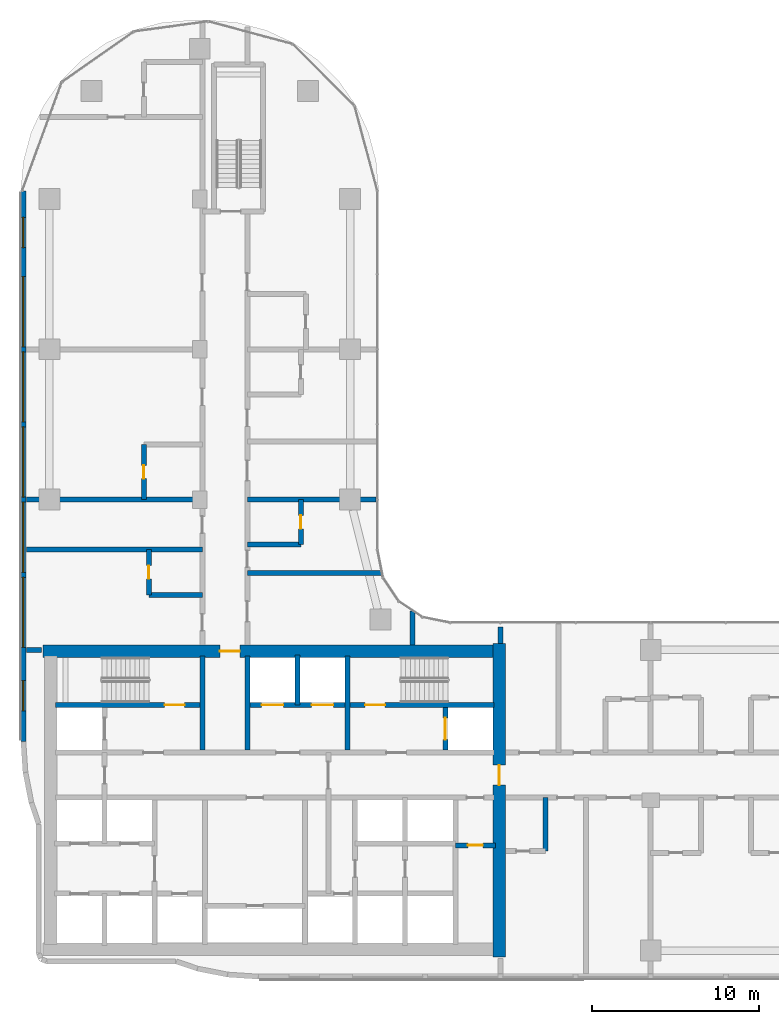
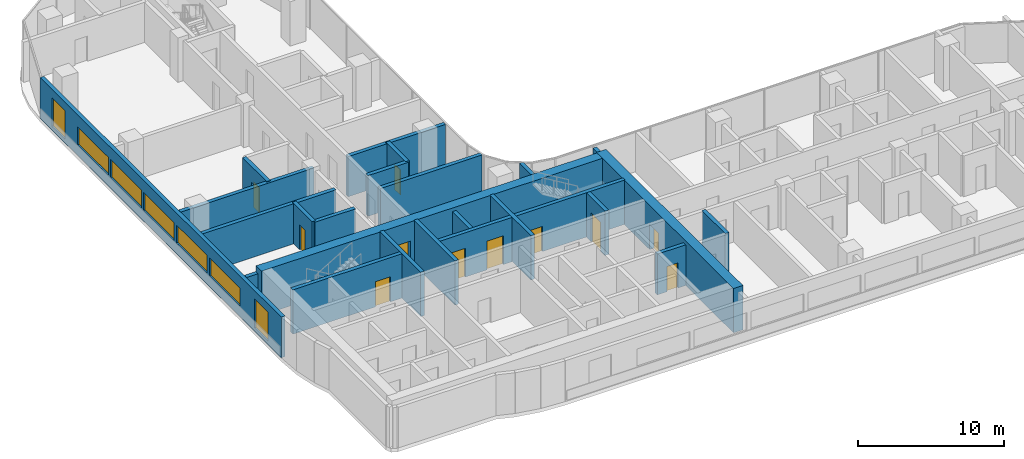
# One storey, part 10 of 22: 24 walls, 11 doors, 7 windows, 18 openings.
"""IFC4 building model written with IfcOpenShell, lengths in metres."""

from ifc_helpers import new_model, si_unit, direction, frame, frame_2d, origin, place, context, subcontext, project, spatial, rectangle, extrude, material, layer, layer_set, type_object, element, fill, save


model = new_model("IFC4")

# Units and contexts
model_context = context("Model", 3, precision=1e-05, world=origin(), true_north=direction((0.0, 1.0)))
body_context = subcontext(model_context, "Body", "Model", "MODEL_VIEW")
ifc_project = project(units=[si_unit("LENGTHUNIT", "METRE"), si_unit("AREAUNIT", "SQUARE_METRE"), si_unit("VOLUMEUNIT", "CUBIC_METRE"), si_unit("PLANEANGLEUNIT", "RADIAN"), si_unit("MASSUNIT", "GRAM", prefix="KILO")], contexts=[model_context])

# Site, building, storey
site_placement = place(None, origin())
site = spatial("IfcSite", under=ifc_project, at=site_placement, CompositionType="ELEMENT")
building_placement = place(site_placement, origin())
building = spatial("IfcBuilding", under=site, at=building_placement, Name="Ogive Portal Towers", CompositionType="ELEMENT")
storey_placement = place(building_placement, frame((0.0, 0.0, 131.5)))
storey = spatial("IfcBuildingStorey", under=building, at=storey_placement, Name="L32", CompositionType="ELEMENT", Elevation=131.5)

# Wall, opening, door
ifc_material_1 = material(Name="Concrete C60/75", Category="concrete")
ifc_layer_1 = layer(ifc_material_1, 0.300048828125)
ifc_layer_set_1 = layer_set([ifc_layer_1], Name="CORE WALL 300 C60")
wall_type_1 = type_object("IfcWallType", Name="CORE WALL 300 C60", PredefinedType="SHEAR", material=ifc_layer_set_1)
wall_1_placement = place(storey_placement, frame((31.875, 36.199951171875, 0.0), z_axis=(0.0, 0.0, 1.0), x_axis=(1.0, 0.0, 0.0)))
wall_1 = element("IfcWall", 1, at=wall_1_placement, inside=storey, type_object=wall_type_1, Name="Core wall Y3a L32", PredefinedType="SHEAR", context=body_context, shape_type="SweptSolid", body=[
    extrude(rectangle(XDim=8.625, YDim=0.300048828125, at=frame_2d((4.3125, 0.0))), origin(), (0.0, 0.0, 1.0), 3.699951171875),
])
opening_1_placement = place(wall_1_placement, frame((6.52490234375, 0.0, 0.0)))
opening_1 = element("IfcOpeningElement", 2, at=opening_1_placement, cuts=wall_1, Name="Opening D11-006", PredefinedType="OPENING", context=body_context, shape_type="SweptSolid", body=[
    extrude(rectangle(XDim=1.199951171875, YDim=2.10009765625, at=frame_2d((0.60009765625, 1.050048828125))), frame((0.0, 0.16015625, 0.0), z_axis=(0.0, -1.0, 0.0), x_axis=(1.0, 0.0, 0.0)), (0.0, 0.0, 1.0), 0.320068359375),
])
ifc_material_2 = material(Name="Steel fire door", Category="steel")
door_type_1 = type_object("IfcDoorType", Name="DT-SWING-1200x2100-FD90S", OperationType="SINGLE_SWING_LEFT", PredefinedType="DOOR", material=ifc_material_2)
door_1_placement = place(opening_1_placement, origin())
door_1 = element("IfcDoor", 3, at=door_1_placement, inside=storey, type_object=door_type_1, Name="Door D11-006", OperationType="SINGLE_SWING_RIGHT", OverallHeight=2.10009765625, OverallWidth=1.199951171875, PredefinedType="DOOR", context=body_context, shape_type="SweptSolid", body=[
    extrude(rectangle(XDim=1.199951171875, YDim=2.10009765625, at=frame_2d((0.60009765625, 1.050048828125))), frame((0.0, 0.02490234375, 0.0), z_axis=(0.0, -1.0, 0.0), x_axis=(1.0, 0.0, 0.0)), (0.0, 0.0, 1.0), 0.050048828125),
])
fill(opening_1, door_1)

# Wall, openings, doors
wall_2_placement = place(storey_placement, frame((43.5, 36.199951171875, 0.0), z_axis=(0.0, 0.0, 1.0), x_axis=(1.0, 0.0, 0.0)))
wall_2 = element("IfcWall", 4, at=wall_2_placement, inside=storey, type_object=wall_type_1, Name="Core wall Y3b L32", PredefinedType="SHEAR", context=body_context, shape_type="SweptSolid", body=[
    extrude(rectangle(XDim=14.625, YDim=0.300048828125, at=frame_2d((7.3125, 0.0))), origin(), (0.0, 0.0, 1.0), 3.699951171875),
])
opening_2_placement = place(wall_2_placement, frame((6.89990234375, 0.0, 0.0)))
opening_2 = element("IfcOpeningElement", 5, at=opening_2_placement, cuts=wall_2, Name="Opening D11-007", PredefinedType="OPENING", context=body_context, shape_type="SweptSolid", body=[
    extrude(rectangle(XDim=1.199951171875, YDim=2.10009765625, at=frame_2d((0.60009765625, 1.050048828125))), frame((0.0, 0.16015625, 0.0), z_axis=(0.0, -1.0, 0.0), x_axis=(1.0, 0.0, 0.0)), (0.0, 0.0, 1.0), 0.320068359375),
])
opening_3_placement = place(wall_2_placement, frame((0.699951171875, 0.0, 0.0)))
opening_3 = element("IfcOpeningElement", 6, at=opening_3_placement, cuts=wall_2, Name="Opening D11-018", PredefinedType="OPENING", context=body_context, shape_type="SweptSolid", body=[
    extrude(rectangle(XDim=1.300048828125, YDim=2.39990234375, at=frame_2d((0.64990234375, 1.199951171875))), frame((0.0, 0.16015625, 0.0), z_axis=(0.0, -1.0, 0.0), x_axis=(1.0, 0.0, 0.0)), (0.0, 0.0, 1.0), 0.320068359375),
])
opening_4_placement = place(wall_2_placement, frame((3.699951171875, 0.0, 0.0)))
opening_4 = element("IfcOpeningElement", 7, at=opening_4_placement, cuts=wall_2, Name="Opening D11-019", PredefinedType="OPENING", context=body_context, shape_type="SweptSolid", body=[
    extrude(rectangle(XDim=1.300048828125, YDim=2.39990234375, at=frame_2d((0.64990234375, 1.199951171875))), frame((0.0, 0.16015625, 0.0), z_axis=(0.0, -1.0, 0.0), x_axis=(1.0, 0.0, 0.0)), (0.0, 0.0, 1.0), 0.320068359375),
])
ifc_material_3 = material(Name="Stainless steel", Category="steel")
door_type_2 = type_object("IfcDoorType", Name="DT-LD-1300x2400", OperationType="SLIDING_TO_LEFT", PredefinedType="DOOR", material=ifc_material_3)
door_2_placement = place(opening_3_placement, origin())
door_2 = element("IfcDoor", 8, at=door_2_placement, inside=storey, type_object=door_type_2, Name="Door D11-018", OperationType="SLIDING_TO_LEFT", OverallHeight=2.39990234375, OverallWidth=1.300048828125, PredefinedType="DOOR", context=body_context, shape_type="SweptSolid", body=[
    extrude(rectangle(XDim=1.300048828125, YDim=2.39990234375, at=frame_2d((0.64990234375, 1.199951171875))), frame((0.0, 0.02490234375, 0.0), z_axis=(0.0, -1.0, 0.0), x_axis=(1.0, 0.0, 0.0)), (0.0, 0.0, 1.0), 0.050048828125),
])
fill(opening_3, door_2)
door_3_placement = place(opening_4_placement, origin())
door_3 = element("IfcDoor", 9, at=door_3_placement, inside=storey, type_object=door_type_2, Name="Door D11-019", OperationType="SLIDING_TO_LEFT", OverallHeight=2.39990234375, OverallWidth=1.300048828125, PredefinedType="DOOR", context=body_context, shape_type="SweptSolid", body=[
    extrude(rectangle(XDim=1.300048828125, YDim=2.39990234375, at=frame_2d((0.64990234375, 1.199951171875))), frame((0.0, 0.02490234375, 0.0), z_axis=(0.0, -1.0, 0.0), x_axis=(1.0, 0.0, 0.0)), (0.0, 0.0, 1.0), 0.050048828125),
])
fill(opening_4, door_3)
door_4_placement = place(opening_2_placement, origin())
door_4 = element("IfcDoor", 10, at=door_4_placement, inside=storey, type_object=door_type_1, Name="Door D11-007", OperationType="SINGLE_SWING_LEFT", OverallHeight=2.10009765625, OverallWidth=1.199951171875, PredefinedType="DOOR", context=body_context, shape_type="SweptSolid", body=[
    extrude(rectangle(XDim=1.199951171875, YDim=2.10009765625, at=frame_2d((0.60009765625, 1.050048828125))), frame((0.0, 0.02490234375, 0.0), z_axis=(0.0, -1.0, 0.0), x_axis=(1.0, 0.0, 0.0)), (0.0, 0.0, 1.0), 0.050048828125),
])
fill(opening_2, door_4)

# Walls
for number, where, z_axis, x_axis, name in (
    (11, (40.64990234375, 33.5, 0.0), (0.0, 0.0, 1.0), (0.0, 1.0, 0.0), "Core wall X6 L32"),
    (12, (43.35009765625, 33.5, 0.0), (0.0, 0.0, 1.0), (0.0, 1.0, 0.0), "Core wall X7 L32"),
    (13, (49.35009765625, 33.5, 0.0), (0.0, 0.0, 1.0), (0.0, 1.0, 0.0), "Core wall X9 L32"),
):
    element("IfcWall", number, at=place(storey_placement, frame(where, z_axis=z_axis, x_axis=x_axis)), inside=storey, type_object=wall_type_1, Name=name, PredefinedType="SHEAR", context=body_context, shape_type="SweptSolid", body=[
        extrude(rectangle(XDim=5.625, YDim=0.300048828125, at=frame_2d((2.8125, 0.0))), origin(), (0.0, 0.0, 1.0), 3.699951171875),
    ])

# Wall, opening, door
wall_3_placement = place(storey_placement, frame((55.199951171875, 33.5, 0.0), z_axis=(0.0, 0.0, 1.0), x_axis=(0.0, 1.0, 0.0)))
wall_3 = element("IfcWall", 14, at=wall_3_placement, inside=storey, type_object=wall_type_1, Name="Core wall X10 L32", PredefinedType="SHEAR", context=body_context, shape_type="SweptSolid", body=[
    extrude(rectangle(XDim=2.550048828125, YDim=0.300048828125, at=frame_2d((1.27490234375, 0.0))), origin(), (0.0, 0.0, 1.0), 3.699951171875),
])
opening_5_placement = place(wall_3_placement, frame((0.625, 0.0, 0.0)))
opening_5 = element("IfcOpeningElement", 15, at=opening_5_placement, cuts=wall_3, Name="Opening D11-021", PredefinedType="OPENING", context=body_context, shape_type="SweptSolid", body=[
    extrude(rectangle(XDim=1.300048828125, YDim=2.39990234375, at=frame_2d((0.64990234375, 1.199951171875))), frame((0.0, 0.16015625, 0.0), z_axis=(0.0, -1.0, 0.0), x_axis=(1.0, 0.0, 0.0)), (0.0, 0.0, 1.0), 0.320068359375),
])
door_5_placement = place(opening_5_placement, origin())
door_5 = element("IfcDoor", 16, at=door_5_placement, inside=storey, type_object=door_type_2, Name="Door D11-021", OperationType="SLIDING_TO_LEFT", OverallHeight=2.39990234375, OverallWidth=1.300048828125, PredefinedType="DOOR", context=body_context, shape_type="SweptSolid", body=[
    extrude(rectangle(XDim=1.300048828125, YDim=2.39990234375, at=frame_2d((0.64990234375, 1.199951171875))), frame((0.0, 0.02490234375, 0.0), z_axis=(0.0, -1.0, 0.0), x_axis=(1.0, 0.0, 0.0)), (0.0, 0.0, 1.0), 0.050048828125),
])
fill(opening_5, door_5)

ifc_layer_2 = layer(ifc_material_1, 0.75)
ifc_layer_set_2 = layer_set([ifc_layer_2], Name="CORE WALL 750 C60")
wall_type_2 = type_object("IfcWallType", Name="CORE WALL 750 C60", PredefinedType="SHEAR", material=ifc_layer_set_2)
wall_4_placement = place(storey_placement, frame((58.425048828125, 21.125, 0.0), z_axis=(0.0, 0.0, 1.0), x_axis=(0.0, 1.0, 0.0)))
wall_4 = element("IfcWall", 17, at=wall_4_placement, inside=storey, type_object=wall_type_2, Name="Core wall E L32", PredefinedType="SHEAR", context=body_context, shape_type="SweptSolid", body=[
    extrude(rectangle(XDim=18.75, YDim=0.75, at=frame_2d((9.375, 0.0))), origin(), (0.0, 0.0, 1.0), 3.699951171875),
])
opening_6_placement = place(wall_4_placement, frame((10.27490234375, 0.0, 0.0)))
opening_6 = element("IfcOpeningElement", 18, at=opening_6_placement, cuts=wall_4, Name="Opening D11-012", PredefinedType="OPENING", context=body_context, shape_type="SweptSolid", body=[
    extrude(rectangle(XDim=1.199951171875, YDim=2.10009765625, at=frame_2d((0.60009765625, 1.050048828125))), frame((0.0, 0.385009765625, 0.0), z_axis=(0.0, -1.0, 0.0), x_axis=(1.0, 0.0, 0.0)), (0.0, 0.0, 1.0), 0.77001953125),
])
door_6_placement = place(opening_6_placement, origin())
door_6 = element("IfcDoor", 19, at=door_6_placement, inside=storey, type_object=door_type_1, Name="Door D11-012", OperationType="SINGLE_SWING_LEFT", OverallHeight=2.10009765625, OverallWidth=1.199951171875, PredefinedType="DOOR", context=body_context, shape_type="SweptSolid", body=[
    extrude(rectangle(XDim=1.199951171875, YDim=2.10009765625, at=frame_2d((0.60009765625, 1.050048828125))), frame((0.0, 0.02490234375, 0.0), z_axis=(0.0, -1.0, 0.0), x_axis=(1.0, 0.0, 0.0)), (0.0, 0.0, 1.0), 0.050048828125),
])
fill(opening_6, door_6)

wall_5_placement = place(storey_placement, frame((31.125, 39.425048828125, 0.0), z_axis=(0.0, 0.0, 1.0), x_axis=(1.0, 0.0, 0.0)))
wall_5 = element("IfcWall", 20, at=wall_5_placement, inside=storey, type_object=wall_type_2, Name="Core wall N L32", PredefinedType="SHEAR", context=body_context, shape_type="SweptSolid", body=[
    extrude(rectangle(XDim=27.0, YDim=0.75, at=frame_2d((13.5, 0.0))), origin(), (0.0, 0.0, 1.0), 3.699951171875),
])
opening_7_placement = place(wall_5_placement, frame((10.574951171875, 0.0, 0.0)))
opening_7 = element("IfcOpeningElement", 21, at=opening_7_placement, cuts=wall_5, Name="Opening D11-013", PredefinedType="OPENING", context=body_context, shape_type="SweptSolid", body=[
    extrude(rectangle(XDim=1.199951171875, YDim=2.10009765625, at=frame_2d((0.60009765625, 1.050048828125))), frame((0.0, 0.385009765625, 0.0), z_axis=(0.0, -1.0, 0.0), x_axis=(1.0, 0.0, 0.0)), (0.0, 0.0, 1.0), 0.77001953125),
])
door_7_placement = place(opening_7_placement, origin())
door_7 = element("IfcDoor", 22, at=door_7_placement, inside=storey, type_object=door_type_1, Name="Door D11-013", OperationType="SINGLE_SWING_RIGHT", OverallHeight=2.10009765625, OverallWidth=1.199951171875, PredefinedType="DOOR", context=body_context, shape_type="SweptSolid", body=[
    extrude(rectangle(XDim=1.199951171875, YDim=2.10009765625, at=frame_2d((0.60009765625, 1.050048828125))), frame((0.0, 0.02490234375, 0.0), z_axis=(0.0, -1.0, 0.0), x_axis=(1.0, 0.0, 0.0)), (0.0, 0.0, 1.0), 0.050048828125),
])
fill(opening_7, door_7)

# Wall, openings, windows
ifc_material_4 = material(Name="Limestone cladding on lightweight block wall", Category="masonry")
ifc_layer_3 = layer(ifc_material_4, 0.300048828125)
ifc_layer_set_3 = layer_set([ifc_layer_3], Name="EXTERNAL WALL 300 STONE")
wall_type_3 = type_object("IfcWallType", Name="EXTERNAL WALL 300 STONE", PredefinedType="SOLIDWALL", material=ifc_layer_set_3)
wall_6_placement = place(storey_placement, frame((29.93505859375, 66.98583984375, 0.0), z_axis=(0.0, 0.0, 1.0), x_axis=(0.0, -1.0, 0.0)))
wall_6 = element("IfcWall", 23, at=wall_6_placement, inside=storey, type_object=wall_type_3, Name="A:L32:f25:r0:wall", PredefinedType="SOLIDWALL", context=body_context, shape_type="SweptSolid", body=[
    extrude(rectangle(XDim=32.97607421875, YDim=0.300048828125, at=frame_2d((16.488037109375, 0.0))), origin(), (0.0, 0.0, 1.0), 3.39990234375),
])
opening_8_placement = place(wall_6_placement, frame((1.593017578125, 0.0, 0.300048828125)))
opening_8 = element("IfcOpeningElement", 24, at=opening_8_placement, cuts=wall_6, Name="Opening WN10", PredefinedType="OPENING", context=body_context, shape_type="SweptSolid", body=[
    extrude(rectangle(XDim=1.800048828125, YDim=2.39990234375, at=frame_2d((0.89990234375, 1.199951171875))), frame((0.0, 0.16015625, 0.0), z_axis=(0.0, -1.0, 0.0), x_axis=(1.0, 0.0, 0.0)), (0.0, 0.0, 1.0), 0.320068359375),
])
opening_9_placement = place(wall_6_placement, frame((5.135986328125, 0.0, 0.89990234375)))
opening_9 = element("IfcOpeningElement", 25, at=opening_9_placement, cuts=wall_6, Name="Opening WN11", PredefinedType="OPENING", context=body_context, shape_type="SweptSolid", body=[
    extrude(rectangle(XDim=4.199951171875, YDim=1.5, at=frame_2d((2.10009765625, 0.75))), frame((0.0, 0.16015625, 0.0), z_axis=(0.0, -1.0, 0.0), x_axis=(1.0, 0.0, 0.0)), (0.0, 0.0, 1.0), 0.320068359375),
])
opening_10_placement = place(wall_6_placement, frame((9.635986328125, 0.0, 0.89990234375)))
opening_10 = element("IfcOpeningElement", 26, at=opening_10_placement, cuts=wall_6, Name="Opening WN11", PredefinedType="OPENING", context=body_context, shape_type="SweptSolid", body=[
    extrude(rectangle(XDim=4.199951171875, YDim=1.5, at=frame_2d((2.10009765625, 0.75))), frame((0.0, 0.16015625, 0.0), z_axis=(0.0, -1.0, 0.0), x_axis=(1.0, 0.0, 0.0)), (0.0, 0.0, 1.0), 0.320068359375),
])
opening_11_placement = place(wall_6_placement, frame((14.135986328125, 0.0, 0.89990234375)))
opening_11 = element("IfcOpeningElement", 27, at=opening_11_placement, cuts=wall_6, Name="Opening WN11", PredefinedType="OPENING", context=body_context, shape_type="SweptSolid", body=[
    extrude(rectangle(XDim=4.199951171875, YDim=1.5, at=frame_2d((2.10009765625, 0.75))), frame((0.0, 0.16015625, 0.0), z_axis=(0.0, -1.0, 0.0), x_axis=(1.0, 0.0, 0.0)), (0.0, 0.0, 1.0), 0.320068359375),
])
opening_12_placement = place(wall_6_placement, frame((18.635986328125, 0.0, 0.89990234375)))
opening_12 = element("IfcOpeningElement", 28, at=opening_12_placement, cuts=wall_6, Name="Opening WN11", PredefinedType="OPENING", context=body_context, shape_type="SweptSolid", body=[
    extrude(rectangle(XDim=4.199951171875, YDim=1.5, at=frame_2d((2.10009765625, 0.75))), frame((0.0, 0.16015625, 0.0), z_axis=(0.0, -1.0, 0.0), x_axis=(1.0, 0.0, 0.0)), (0.0, 0.0, 1.0), 0.320068359375),
])
opening_13_placement = place(wall_6_placement, frame((23.135986328125, 0.0, 0.89990234375)))
opening_13 = element("IfcOpeningElement", 29, at=opening_13_placement, cuts=wall_6, Name="Opening WN11", PredefinedType="OPENING", context=body_context, shape_type="SweptSolid", body=[
    extrude(rectangle(XDim=4.199951171875, YDim=1.5, at=frame_2d((2.10009765625, 0.75))), frame((0.0, 0.16015625, 0.0), z_axis=(0.0, -1.0, 0.0), x_axis=(1.0, 0.0, 0.0)), (0.0, 0.0, 1.0), 0.320068359375),
])
opening_14_placement = place(wall_6_placement, frame((29.3310546875, 0.0, 0.300048828125)))
opening_14 = element("IfcOpeningElement", 30, at=opening_14_placement, cuts=wall_6, Name="Opening WN10", PredefinedType="OPENING", context=body_context, shape_type="SweptSolid", body=[
    extrude(rectangle(XDim=1.800048828125, YDim=2.39990234375, at=frame_2d((0.89990234375, 1.199951171875))), frame((0.0, 0.16015625, 0.0), z_axis=(0.0, -1.0, 0.0), x_axis=(1.0, 0.0, 0.0)), (0.0, 0.0, 1.0), 0.320068359375),
])
ifc_material_5 = material(Name="Glass, clear low-iron insulated glazing", Category="glass")
window_type_1 = type_object("IfcWindowType", Name="WINDOW RIBBON 4200x1500", PartitioningType="TRIPLE_PANEL_VERTICAL", PredefinedType="WINDOW", material=ifc_material_5)
window_1_placement = place(opening_9_placement, origin())
window_1 = element("IfcWindow", 31, at=window_1_placement, inside=storey, type_object=window_type_1, Name="A:L32:f25:r0:w1", OverallHeight=1.5, OverallWidth=4.199951171875, PartitioningType="SINGLE_PANEL", PredefinedType="WINDOW", context=body_context, shape_type="SweptSolid", body=[
    extrude(rectangle(XDim=4.199951171875, YDim=1.5, at=frame_2d((2.10009765625, 0.75))), frame((0.0, 0.030029296875, 0.0), z_axis=(0.0, -1.0, 0.0), x_axis=(1.0, 0.0, 0.0)), (0.0, 0.0, 1.0), 0.06005859375),
])
fill(opening_9, window_1)
window_2_placement = place(opening_10_placement, origin())
window_2 = element("IfcWindow", 32, at=window_2_placement, inside=storey, type_object=window_type_1, Name="A:L32:f25:r0:w2", OverallHeight=1.5, OverallWidth=4.199951171875, PartitioningType="SINGLE_PANEL", PredefinedType="WINDOW", context=body_context, shape_type="SweptSolid", body=[
    extrude(rectangle(XDim=4.199951171875, YDim=1.5, at=frame_2d((2.10009765625, 0.75))), frame((0.0, 0.030029296875, 0.0), z_axis=(0.0, -1.0, 0.0), x_axis=(1.0, 0.0, 0.0)), (0.0, 0.0, 1.0), 0.06005859375),
])
fill(opening_10, window_2)
window_3_placement = place(opening_11_placement, origin())
window_3 = element("IfcWindow", 33, at=window_3_placement, inside=storey, type_object=window_type_1, Name="A:L32:f25:r0:w3", OverallHeight=1.5, OverallWidth=4.199951171875, PartitioningType="SINGLE_PANEL", PredefinedType="WINDOW", context=body_context, shape_type="SweptSolid", body=[
    extrude(rectangle(XDim=4.199951171875, YDim=1.5, at=frame_2d((2.10009765625, 0.75))), frame((0.0, 0.030029296875, 0.0), z_axis=(0.0, -1.0, 0.0), x_axis=(1.0, 0.0, 0.0)), (0.0, 0.0, 1.0), 0.06005859375),
])
fill(opening_11, window_3)
window_4_placement = place(opening_12_placement, origin())
window_4 = element("IfcWindow", 34, at=window_4_placement, inside=storey, type_object=window_type_1, Name="A:L32:f25:r0:w4", OverallHeight=1.5, OverallWidth=4.199951171875, PartitioningType="SINGLE_PANEL", PredefinedType="WINDOW", context=body_context, shape_type="SweptSolid", body=[
    extrude(rectangle(XDim=4.199951171875, YDim=1.5, at=frame_2d((2.10009765625, 0.75))), frame((0.0, 0.030029296875, 0.0), z_axis=(0.0, -1.0, 0.0), x_axis=(1.0, 0.0, 0.0)), (0.0, 0.0, 1.0), 0.06005859375),
])
fill(opening_12, window_4)
window_5_placement = place(opening_13_placement, origin())
window_5 = element("IfcWindow", 35, at=window_5_placement, inside=storey, type_object=window_type_1, Name="A:L32:f25:r0:w5", OverallHeight=1.5, OverallWidth=4.199951171875, PartitioningType="SINGLE_PANEL", PredefinedType="WINDOW", context=body_context, shape_type="SweptSolid", body=[
    extrude(rectangle(XDim=4.199951171875, YDim=1.5, at=frame_2d((2.10009765625, 0.75))), frame((0.0, 0.030029296875, 0.0), z_axis=(0.0, -1.0, 0.0), x_axis=(1.0, 0.0, 0.0)), (0.0, 0.0, 1.0), 0.06005859375),
])
fill(opening_13, window_5)
window_type_2 = type_object("IfcWindowType", Name="WINDOW SUITE CORNER 1800x2400", PartitioningType="DOUBLE_PANEL_VERTICAL", PredefinedType="WINDOW", material=ifc_material_5)
window_6_placement = place(opening_8_placement, origin())
window_6 = element("IfcWindow", 36, at=window_6_placement, inside=storey, type_object=window_type_2, Name="A:L32:f25:r0:w0", OverallHeight=2.39990234375, OverallWidth=1.800048828125, PartitioningType="SINGLE_PANEL", PredefinedType="WINDOW", context=body_context, shape_type="SweptSolid", body=[
    extrude(rectangle(XDim=1.800048828125, YDim=2.39990234375, at=frame_2d((0.89990234375, 1.199951171875))), frame((0.0, 0.030029296875, 0.0), z_axis=(0.0, -1.0, 0.0), x_axis=(1.0, 0.0, 0.0)), (0.0, 0.0, 1.0), 0.06005859375),
])
fill(opening_8, window_6)
window_7_placement = place(opening_14_placement, origin())
window_7 = element("IfcWindow", 37, at=window_7_placement, inside=storey, type_object=window_type_2, Name="A:L32:f25:r0:w6", OverallHeight=2.39990234375, OverallWidth=1.800048828125, PartitioningType="SINGLE_PANEL", PredefinedType="WINDOW", context=body_context, shape_type="SweptSolid", body=[
    extrude(rectangle(XDim=1.800048828125, YDim=2.39990234375, at=frame_2d((0.89990234375, 1.199951171875))), frame((0.0, 0.030029296875, 0.0), z_axis=(0.0, -1.0, 0.0), x_axis=(1.0, 0.0, 0.0)), (0.0, 0.0, 1.0), 0.06005859375),
])
fill(opening_14, window_7)

# Wall, opening, door
ifc_material_6 = material(Name="Gypsum board partition on steel studs", Category="steel")
ifc_layer_4 = layer(ifc_material_6, 0.300048828125)
ifc_layer_set_4 = layer_set([ifc_layer_4], Name="WT-PART-300")
wall_type_4 = type_object("IfcWallType", Name="WT-PART-300", PredefinedType="PARTITIONING", material=ifc_layer_set_4)
wall_7_placement = place(storey_placement, frame((55.800048828125, 27.800048828125, 0.0), z_axis=(0.0, 0.0, 1.0), x_axis=(1.0, 0.0, 0.0)))
wall_7 = element("IfcWall", 38, at=wall_7_placement, inside=storey, type_object=wall_type_4, Name="Wall pw:004:L32", PredefinedType="PARTITIONING", context=body_context, shape_type="SweptSolid", body=[
    extrude(rectangle(XDim=2.39990234375, YDim=0.300048828125, at=frame_2d((1.199951171875, 0.0))), origin(), (0.0, 0.0, 1.0), 3.39990234375),
])
opening_15_placement = place(wall_7_placement, frame((0.75, 0.0, 0.0)))
opening_15 = element("IfcOpeningElement", 39, at=opening_15_placement, cuts=wall_7, Name="Opening D11-011", PredefinedType="OPENING", context=body_context, shape_type="SweptSolid", body=[
    extrude(rectangle(XDim=0.89990234375, YDim=2.10009765625, at=frame_2d((0.449951171875, 1.050048828125))), frame((0.0, 0.16015625, 0.0), z_axis=(0.0, -1.0, 0.0), x_axis=(1.0, 0.0, 0.0)), (0.0, 0.0, 1.0), 0.320068359375),
])
door_type_3 = type_object("IfcDoorType", Name="DT-SWING-900x2100-FD60S", OperationType="SINGLE_SWING_LEFT", PredefinedType="DOOR", material=ifc_material_2)
door_8_placement = place(opening_15_placement, origin())
door_8 = element("IfcDoor", 40, at=door_8_placement, inside=storey, type_object=door_type_3, Name="Door D11-011", OperationType="SINGLE_SWING_RIGHT", OverallHeight=2.10009765625, OverallWidth=0.89990234375, PredefinedType="DOOR", context=body_context, shape_type="SweptSolid", body=[
    extrude(rectangle(XDim=0.89990234375, YDim=2.10009765625, at=frame_2d((0.449951171875, 1.050048828125))), frame((0.0, 0.02490234375, 0.0), z_axis=(0.0, -1.0, 0.0), x_axis=(1.0, 0.0, 0.0)), (0.0, 0.0, 1.0), 0.050048828125),
])
fill(opening_15, door_8)

# Walls
ifc_layer_5 = layer(ifc_material_6, 0.300048828125)
ifc_layer_set_5 = layer_set([ifc_layer_5], Name="WT-PART-300-EI 60")
wall_type_5 = type_object("IfcWallType", Name="WT-PART-300-EI 60", PredefinedType="PARTITIONING", material=ifc_layer_set_5)
wall_8_placement = place(storey_placement, frame((30.135009765625, 39.5, 0.0), z_axis=(0.0, 0.0, 1.0), x_axis=(1.0, 0.0, 0.0)))
element("IfcWall", 41, at=wall_8_placement, inside=storey, type_object=wall_type_5, Name="Wall L32:w014", PredefinedType="PARTITIONING", context=body_context, shape_type="SweptSolid", body=[
    extrude(rectangle(XDim=0.89501953125, YDim=0.300048828125, at=frame_2d((0.447509765625, 0.0))), origin(), (0.0, 0.0, 1.0), 3.35009765625),
])
wall_9_placement = place(storey_placement, frame((37.449951171875, 42.800048828125, 0.0), z_axis=(0.0, 0.0, 1.0), x_axis=(1.0, 0.0, 0.0)))
element("IfcWall", 42, at=wall_9_placement, inside=storey, type_object=wall_type_5, Name="Wall L32:w016", PredefinedType="PARTITIONING", context=body_context, shape_type="SweptSolid", body=[
    extrude(rectangle(XDim=3.199951171875, YDim=0.300048828125, at=frame_2d((1.60009765625, 0.0))), origin(), (0.0, 0.0, 1.0), 3.39990234375),
])
wall_10_placement = place(storey_placement, frame((43.35009765625, 44.10009765625, 0.0), z_axis=(0.0, 0.0, 1.0), x_axis=(1.0, 0.0, 0.0)))
element("IfcWall", 43, at=wall_10_placement, inside=storey, type_object=wall_type_5, Name="Wall L32:w017", PredefinedType="PARTITIONING", context=body_context, shape_type="SweptSolid", body=[
    extrude(rectangle(XDim=8.031982421875, YDim=0.300048828125, at=frame_2d((4.01611328125, 0.0))), origin(), (0.0, 0.0, 1.0), 3.35009765625),
])
wall_11_placement = place(storey_placement, frame((30.135009765625, 45.5, 0.0), z_axis=(0.0, 0.0, 1.0), x_axis=(1.0, 0.0, 0.0)))
element("IfcWall", 44, at=wall_11_placement, inside=storey, type_object=wall_type_5, Name="Wall L32:w018", PredefinedType="PARTITIONING", context=body_context, shape_type="SweptSolid", body=[
    extrude(rectangle(XDim=10.514892578125, YDim=0.300048828125, at=frame_2d((5.25732421875, 0.0))), origin(), (0.0, 0.0, 1.0), 3.35009765625),
])
wall_12_placement = place(storey_placement, frame((43.35009765625, 45.800048828125, 0.0), z_axis=(0.0, 0.0, 1.0), x_axis=(1.0, 0.0, 0.0)))
element("IfcWall", 45, at=wall_12_placement, inside=storey, type_object=wall_type_5, Name="Wall L32:w019", PredefinedType="PARTITIONING", context=body_context, shape_type="SweptSolid", body=[
    extrude(rectangle(XDim=3.199951171875, YDim=0.300048828125, at=frame_2d((1.60009765625, 0.0))), origin(), (0.0, 0.0, 1.0), 3.39990234375),
])
wall_13_placement = place(storey_placement, frame((30.135009765625, 48.5, 0.0), z_axis=(0.0, 0.0, 1.0), x_axis=(1.0, 0.0, 0.0)))
element("IfcWall", 46, at=wall_13_placement, inside=storey, type_object=wall_type_5, Name="Wall L32:w020", PredefinedType="PARTITIONING", context=body_context, shape_type="SweptSolid", body=[
    extrude(rectangle(XDim=10.514892578125, YDim=0.300048828125, at=frame_2d((5.25732421875, 0.0))), origin(), (0.0, 0.0, 1.0), 3.35009765625),
])
wall_14_placement = place(storey_placement, frame((43.35009765625, 48.5, 0.0), z_axis=(0.0, 0.0, 1.0), x_axis=(1.0, 0.0, 0.0)))
element("IfcWall", 47, at=wall_14_placement, inside=storey, type_object=wall_type_5, Name="Wall L32:w021", PredefinedType="PARTITIONING", context=body_context, shape_type="SweptSolid", body=[
    extrude(rectangle(XDim=7.69482421875, YDim=0.300048828125, at=frame_2d((3.847412109375, 0.0))), origin(), (0.0, 0.0, 1.0), 3.35009765625),
])

# Wall, opening, door
wall_15_placement = place(storey_placement, frame((37.14990234375, 48.5, 0.0), z_axis=(0.0, 0.0, 1.0), x_axis=(0.0, 1.0, 0.0)))
wall_15 = element("IfcWall", 48, at=wall_15_placement, inside=storey, type_object=wall_type_5, Name="Wall L32:w032", PredefinedType="PARTITIONING", context=body_context, shape_type="SweptSolid", body=[
    extrude(rectangle(XDim=3.300048828125, YDim=0.300048828125, at=frame_2d((1.64990234375, 0.0))), origin(), (0.0, 0.0, 1.0), 3.39990234375),
])
opening_16_placement = place(wall_15_placement, frame((1.25, 0.0, 0.0)))
opening_16 = element("IfcOpeningElement", 49, at=opening_16_placement, cuts=wall_15, Name="Opening D11-054", PredefinedType="OPENING", context=body_context, shape_type="SweptSolid", body=[
    extrude(rectangle(XDim=0.800048828125, YDim=2.10009765625, at=frame_2d((0.39990234375, 1.050048828125))), frame((0.0, 0.16015625, 0.0), z_axis=(0.0, -1.0, 0.0), x_axis=(1.0, 0.0, 0.0)), (0.0, 0.0, 1.0), 0.320068359375),
])
door_type_4 = type_object("IfcDoorType", Name="DT-BATH-800x2100-FD60S", OperationType="SINGLE_SWING_LEFT", PredefinedType="DOOR", material=ifc_material_2)
door_9_placement = place(opening_16_placement, origin())
door_9 = element("IfcDoor", 50, at=door_9_placement, inside=storey, type_object=door_type_4, Name="Door D11-054", OperationType="SINGLE_SWING_LEFT", OverallHeight=2.10009765625, OverallWidth=0.800048828125, PredefinedType="DOOR", context=body_context, shape_type="SweptSolid", body=[
    extrude(rectangle(XDim=0.800048828125, YDim=2.10009765625, at=frame_2d((0.39990234375, 1.050048828125))), frame((0.0, 0.02490234375, 0.0), z_axis=(0.0, -1.0, 0.0), x_axis=(1.0, 0.0, 0.0)), (0.0, 0.0, 1.0), 0.050048828125),
])
fill(opening_16, door_9)

wall_16_placement = place(storey_placement, frame((37.449951171875, 42.800048828125, 0.0), z_axis=(0.0, 0.0, 1.0), x_axis=(0.0, 1.0, 0.0)))
wall_16 = element("IfcWall", 51, at=wall_16_placement, inside=storey, type_object=wall_type_5, Name="Wall L32:w034", PredefinedType="PARTITIONING", context=body_context, shape_type="SweptSolid", body=[
    extrude(rectangle(XDim=2.699951171875, YDim=0.300048828125, at=frame_2d((1.35009765625, 0.0))), origin(), (0.0, 0.0, 1.0), 3.39990234375),
])
opening_17_placement = place(wall_16_placement, frame((0.949951171875, 0.0, 0.0)))
opening_17 = element("IfcOpeningElement", 52, at=opening_17_placement, cuts=wall_16, Name="Opening D11-048", PredefinedType="OPENING", context=body_context, shape_type="SweptSolid", body=[
    extrude(rectangle(XDim=0.800048828125, YDim=2.10009765625, at=frame_2d((0.39990234375, 1.050048828125))), frame((0.0, 0.16015625, 0.0), z_axis=(0.0, -1.0, 0.0), x_axis=(1.0, 0.0, 0.0)), (0.0, 0.0, 1.0), 0.320068359375),
])
door_10_placement = place(opening_17_placement, origin())
door_10 = element("IfcDoor", 53, at=door_10_placement, inside=storey, type_object=door_type_4, Name="Door D11-048", OperationType="SINGLE_SWING_LEFT", OverallHeight=2.10009765625, OverallWidth=0.800048828125, PredefinedType="DOOR", context=body_context, shape_type="SweptSolid", body=[
    extrude(rectangle(XDim=0.800048828125, YDim=2.10009765625, at=frame_2d((0.39990234375, 1.050048828125))), frame((0.0, 0.02490234375, 0.0), z_axis=(0.0, -1.0, 0.0), x_axis=(1.0, 0.0, 0.0)), (0.0, 0.0, 1.0), 0.050048828125),
])
fill(opening_17, door_10)

wall_17_placement = place(storey_placement, frame((46.550048828125, 45.800048828125, 0.0), z_axis=(0.0, 0.0, 1.0), x_axis=(0.0, 1.0, 0.0)))
wall_17 = element("IfcWall", 54, at=wall_17_placement, inside=storey, type_object=wall_type_5, Name="Wall L32:w040", PredefinedType="PARTITIONING", context=body_context, shape_type="SweptSolid", body=[
    extrude(rectangle(XDim=2.699951171875, YDim=0.300048828125, at=frame_2d((1.35009765625, 0.0))), origin(), (0.0, 0.0, 1.0), 3.39990234375),
])
opening_18_placement = place(wall_17_placement, frame((0.949951171875, 0.0, 0.0)))
opening_18 = element("IfcOpeningElement", 55, at=opening_18_placement, cuts=wall_17, Name="Opening D11-046", PredefinedType="OPENING", context=body_context, shape_type="SweptSolid", body=[
    extrude(rectangle(XDim=0.800048828125, YDim=2.10009765625, at=frame_2d((0.39990234375, 1.050048828125))), frame((0.0, 0.16015625, 0.0), z_axis=(0.0, -1.0, 0.0), x_axis=(1.0, 0.0, 0.0)), (0.0, 0.0, 1.0), 0.320068359375),
])
door_11_placement = place(opening_18_placement, origin())
door_11 = element("IfcDoor", 56, at=door_11_placement, inside=storey, type_object=door_type_4, Name="Door D11-046", OperationType="SINGLE_SWING_RIGHT", OverallHeight=2.10009765625, OverallWidth=0.800048828125, PredefinedType="DOOR", context=body_context, shape_type="SweptSolid", body=[
    extrude(rectangle(XDim=0.800048828125, YDim=2.10009765625, at=frame_2d((0.39990234375, 1.050048828125))), frame((0.0, 0.02490234375, 0.0), z_axis=(0.0, -1.0, 0.0), x_axis=(1.0, 0.0, 0.0)), (0.0, 0.0, 1.0), 0.050048828125),
])
fill(opening_18, door_11)

# Walls
wall_18_placement = place(storey_placement, frame((53.25, 39.800048828125, 0.0), z_axis=(0.0, 0.0, 1.0), x_axis=(0.0, 1.0, 0.0)))
element("IfcWall", 57, at=wall_18_placement, inside=storey, type_object=wall_type_5, Name="Wall L32:w043", PredefinedType="PARTITIONING", context=body_context, shape_type="SweptSolid", body=[
    extrude(rectangle(XDim=2.01904296875, YDim=0.300048828125, at=frame_2d((1.009521484375, 0.0))), origin(), (0.0, 0.0, 1.0), 3.35009765625),
])
wall_19_placement = place(storey_placement, frame((58.5, 39.8798828125, 0.0), z_axis=(0.0, 0.0, 1.0), x_axis=(0.0, 1.0, 0.0)))
element("IfcWall", 58, at=wall_19_placement, inside=storey, type_object=wall_type_5, Name="Wall L32:w045", PredefinedType="PARTITIONING", context=body_context, shape_type="SweptSolid", body=[
    extrude(rectangle(XDim=0.985107421875, YDim=0.300048828125, at=frame_2d((0.49267578125, 0.0))), origin(), (0.0, 0.0, 1.0), 3.35009765625),
])
wall_20_placement = place(storey_placement, frame((61.199951171875, 27.449951171875, 0.0), z_axis=(0.0, 0.0, 1.0), x_axis=(0.0, 1.0, 0.0)))
element("IfcWall", 59, at=wall_20_placement, inside=storey, type_object=wall_type_5, Name="Wall L32:w046", PredefinedType="PARTITIONING", context=body_context, shape_type="SweptSolid", body=[
    extrude(rectangle(XDim=3.199951171875, YDim=0.300048828125, at=frame_2d((1.60009765625, 0.0))), origin(), (0.0, 0.0, 1.0), 3.39990234375),
])
ifc_material_7 = material(Name="Concrete C40/50", Category="concrete")
ifc_layer_6 = layer(ifc_material_7, 0.300048828125)
ifc_layer_set_6 = layer_set([ifc_layer_6], Name="WT-SHAFT-300")
wall_type_6 = type_object("IfcWallType", Name="WT-SHAFT-300", PredefinedType="SOLIDWALL", material=ifc_layer_set_6)
wall_21_placement = place(storey_placement, frame((46.35009765625, 36.199951171875, 0.0), z_axis=(0.0, 0.0, 1.0), x_axis=(0.0, 1.0, 0.0)))
element("IfcWall", 60, at=wall_21_placement, inside=storey, type_object=wall_type_6, Name="Wall pw:010:L32", PredefinedType="SOLIDWALL", context=body_context, shape_type="SweptSolid", body=[
    extrude(rectangle(XDim=3.0, YDim=0.300048828125, at=frame_2d((1.5, 0.0))), origin(), (0.0, 0.0, 1.0), 3.39990234375),
])

save(model, "model.ifc")
